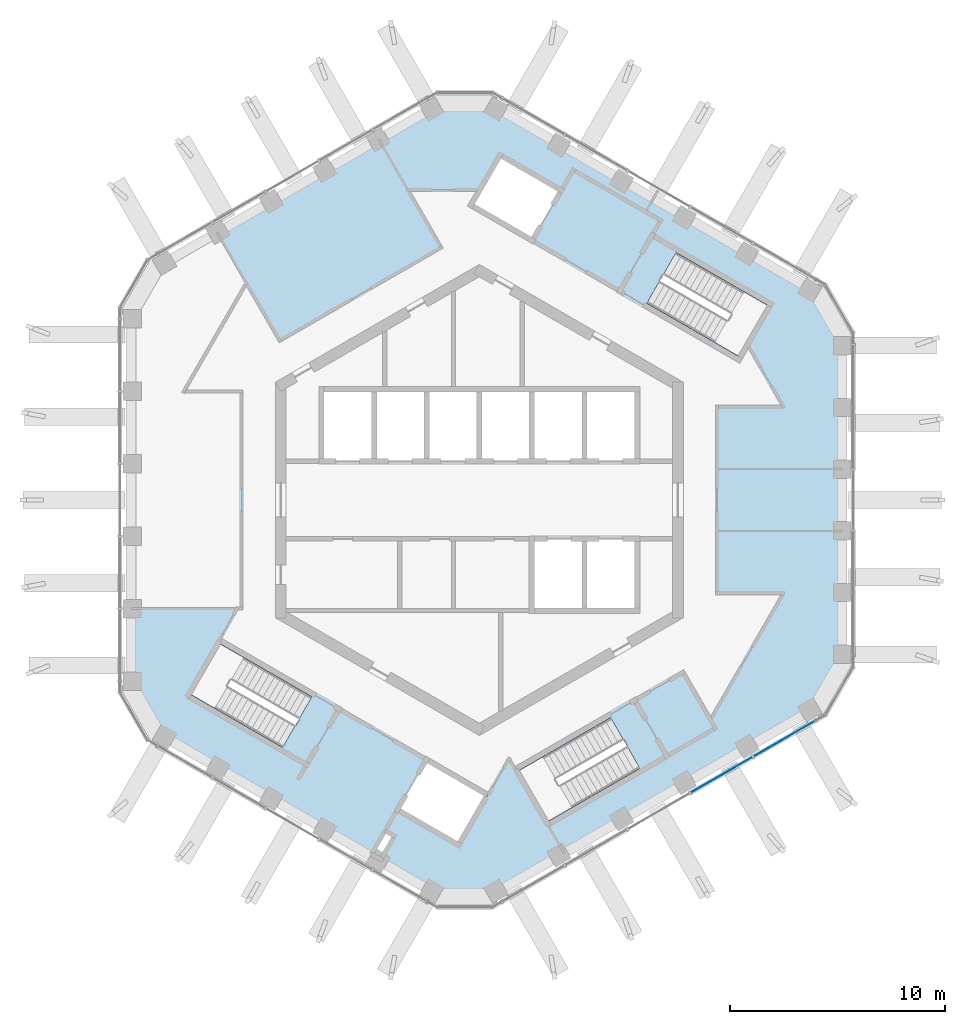
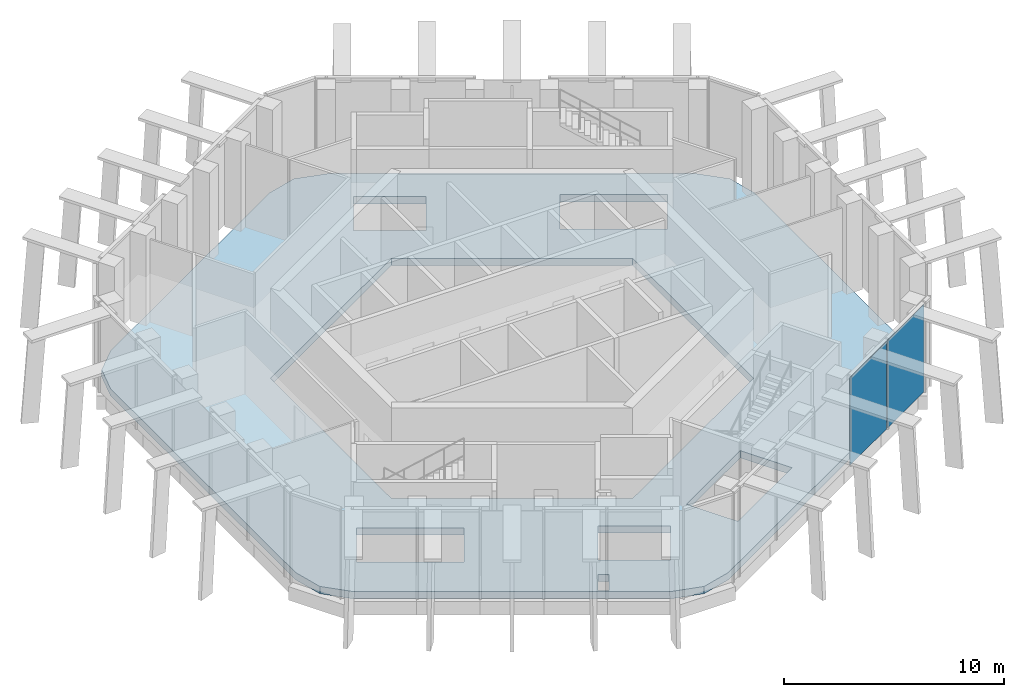
# One storey, part 8 of 17: 2 plates, 1 slab, 1 element without a shape of its own.
"""IFC4 building model written with IfcOpenShell, lengths in metres."""

from ifc_helpers import new_model, si_unit, direction, frame, origin, origin_2d, place, context, subcontext, project, spatial, polyline, rectangle, outline, extrude, material, layer, layer_set, type_object, element, aggregate, save


model = new_model("IFC4")

# Units and contexts
model_context = context("Model", 3, precision=1e-05, world=origin(), true_north=direction((0.0, 1.0)))
body_context = subcontext(model_context, "Body", "Model", "MODEL_VIEW")
ifc_project = project(units=[si_unit("LENGTHUNIT", "METRE"), si_unit("AREAUNIT", "SQUARE_METRE"), si_unit("VOLUMEUNIT", "CUBIC_METRE"), si_unit("PLANEANGLEUNIT", "RADIAN"), si_unit("MASSUNIT", "GRAM", prefix="KILO")], contexts=[model_context])

# Site, building, storey
site_placement = place(None, origin())
site = spatial("IfcSite", under=ifc_project, at=site_placement, CompositionType="ELEMENT")
building_placement = place(site_placement, origin())
building = spatial("IfcBuilding", under=site, at=building_placement, Name="Ayvan Gate Tower", CompositionType="ELEMENT")
storey_placement = place(building_placement, frame((0.0, 0.0, 257.89990234375)))
storey = spatial("IfcBuildingStorey", under=building, at=storey_placement, Name="L69", CompositionType="ELEMENT", Elevation=257.89990234375)

# Slab
ifc_material_1 = material(Name="Concrete C40/50", Category="concrete")
ifc_layer_1 = layer(ifc_material_1, 0.39990234375)
ifc_layer_set_1 = layer_set([ifc_layer_1], Name="Concrete C40/50")
slab_type = type_object("IfcSlabType", Name="Post-tensioned flat slab 400", PredefinedType="FLOOR", material=ifc_layer_set_1)
slab_placement = place(storey_placement, frame((0.0, 0.0, -0.39990234375)))
element("IfcSlab", 1, at=slab_placement, inside=storey, type_object=slab_type, Name="SL-L69", PredefinedType="FLOOR", context=body_context, shape_type="SweptSolid", body=[
    extrude(outline(polyline([(-0.6806640625, -18.642822265625), (-2.1806640625, -18.240966796875), (-14.706787109375, -11.009033203125), (-15.804931640625, -9.910888671875), (-16.206787109375, -8.410888671875), (-16.206787109375, 8.410888671875), (-15.804931640625, 9.910888671875), (-14.706787109375, 11.009033203125), (-2.1806640625, 18.240966796875), (-0.6806640625, 18.642822265625), (0.8193359375, 18.240966796875), (15.387451171875, 9.830078125), (16.485595703125, 8.73193359375), (16.887451171875, 7.23193359375), (16.887451171875, -7.23193359375), (16.485595703125, -8.73193359375), (15.387451171875, -9.830078125), (0.8193359375, -18.240966796875), (-0.6806640625, -18.642822265625)]), holes=[polyline([(13.404541015625, 9.0673828125), (9.1611328125, 11.517578125), (7.80615234375, 9.170654296875), (12.049560546875, 6.720458984375), (13.404541015625, 9.0673828125)]), polyline([(0.0, 10.9697265625), (-9.5, 5.48486328125), (-9.5, -5.48486328125), (0.0, -10.9697265625), (9.5, -5.48486328125), (9.5, 5.48486328125), (0.0, 10.9697265625)]), polyline([(3.228759765625, -14.9423828125), (7.472412109375, -12.492431640625), (6.117431640625, -10.1455078125), (1.873779296875, -12.595458984375), (3.228759765625, -14.9423828125)]), polyline([(3.822509765625, 14.420654296875), (0.964599609375, 16.07080078125), (-0.385498046875, 13.732421875), (0.908935546875, 12.985107421875), (2.472412109375, 12.08251953125), (3.822509765625, 14.420654296875)]), polyline([(-0.6298828125, -13.146240234375), (-0.806640625, -13.044189453125), (-2.472412109375, -12.08251953125), (-3.822509765625, -14.420654296875), (-0.964599609375, -16.07080078125), (0.385498046875, -13.732421875), (-0.6298828125, -13.146240234375)]), polyline([(-5.016357421875, -16.48828125), (-4.583251953125, -16.73828125), (-3.95458984375, -15.6494140625), (-4.387451171875, -15.3994140625), (-5.016357421875, -16.48828125)]), polyline([(-7.80615234375, -9.170654296875), (-12.049560546875, -6.720458984375), (-13.404541015625, -9.0673828125), (-9.1611328125, -11.517578125), (-7.80615234375, -9.170654296875)])]), origin(), (0.0, 0.0, 1.0), 0.39990234375),
])

# Curtain wall, plates
ifc_material_2 = material(Name="Bronze anodised aluminium", Category="aluminium")
ifc_layer_2 = layer(ifc_material_2, 0.199951171875)
ifc_layer_set_2 = layer_set([ifc_layer_2], Name="Bronze anodised aluminium")
curtain_wall_type = type_object("IfcCurtainWallType", Name="Stick curtain wall CW-5", PredefinedType="NOTDEFINED", material=ifc_layer_set_2)
curtain_wall_placement = place(storey_placement, origin())
curtain_wall = element("IfcCurtainWall", 2, at=curtain_wall_placement, inside=storey, type_object=curtain_wall_type, Name="Stick curtain wall CW-5 L69", PredefinedType="NOTDEFINED")
ifc_material_3 = material(Name="Clear low-iron laminated glass", Category="glass")
ifc_layer_3 = layer(ifc_material_3, 0.028076171875)
ifc_layer_set_3 = layer_set([ifc_layer_3], Name="Clear low-iron laminated glass")
plate_type = type_object("IfcPlateType", Name="Stick curtain wall CW-5 glass panel", PredefinedType="CURTAIN_PANEL", material=ifc_layer_set_3)
plate_1_placement = place(storey_placement, frame((11.2880859375, -12.802978515625, 0.0), z_axis=(0.0, 0.0, 1.0), x_axis=(0.866025403784, 0.5, 0.0)))
plate_1 = element("IfcPlate", 3, at=plate_1_placement, type_object=plate_type, Name="CW-5 glass panel 4", PredefinedType="CURTAIN_PANEL", context=body_context, shape_type="SweptSolid", body=[
    extrude(rectangle(XDim=3.284912109375, YDim=0.028076171875, at=origin_2d()), origin(), (0.0, 0.0, 1.0), 4.85009765625),
])
plate_2_placement = place(storey_placement, frame((14.229736328125, -11.104736328125, 0.0), z_axis=(0.0, 0.0, 1.0), x_axis=(0.866025403784, 0.5, 0.0)))
plate_2 = element("IfcPlate", 4, at=plate_2_placement, type_object=plate_type, Name="CW-5 glass panel 5", PredefinedType="CURTAIN_PANEL", context=body_context, shape_type="SweptSolid", body=[
    extrude(rectangle(XDim=3.328125, YDim=0.028076171875, at=origin_2d()), origin(), (0.0, 0.0, 1.0), 4.85009765625),
])
aggregate(curtain_wall, [plate_1, plate_2])

save(model, "model.ifc")
